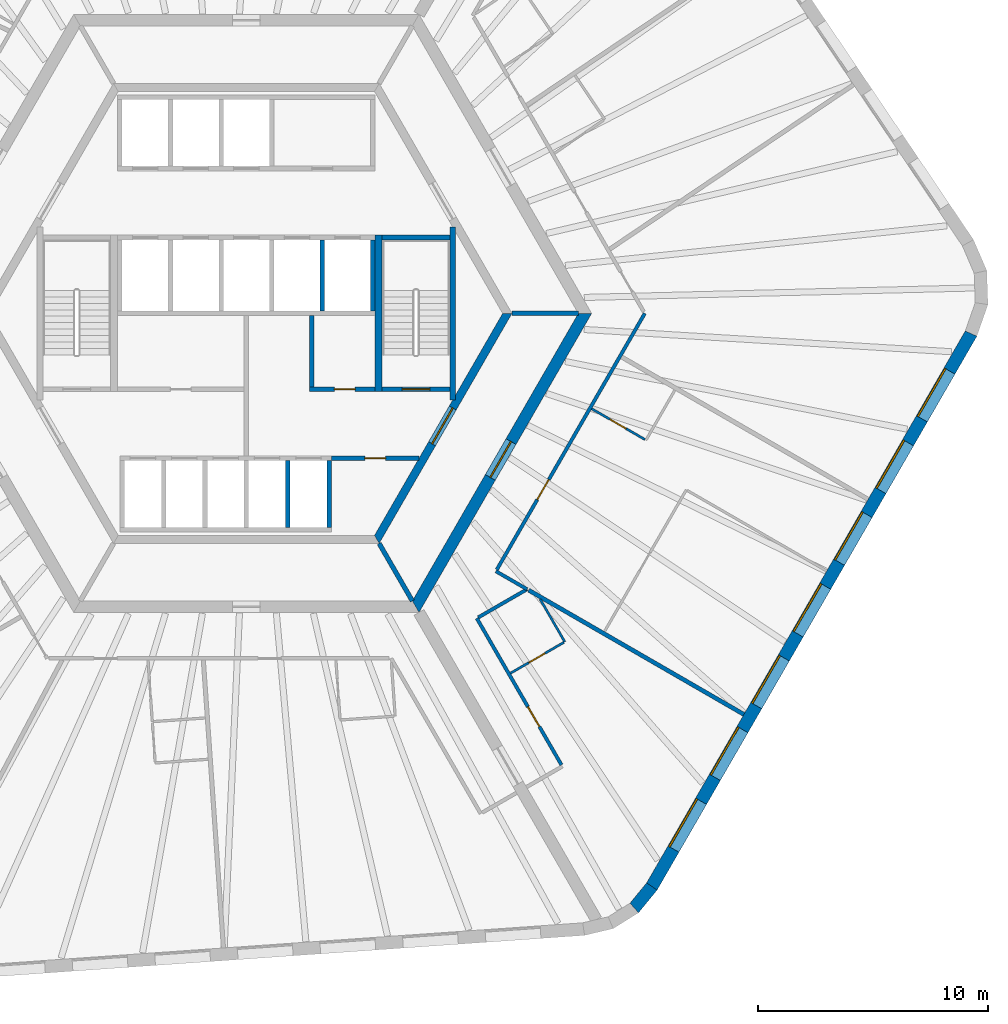
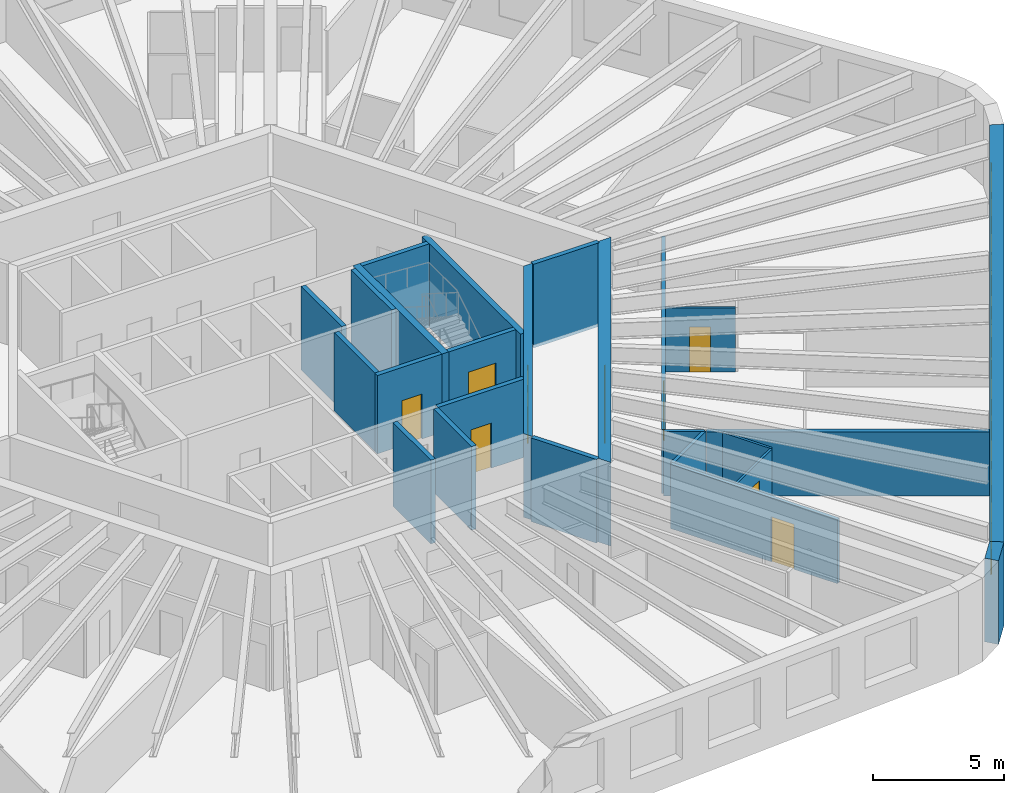
# One storey, part 5 of 10: 25 walls, 9 doors, 7 windows, 16 openings.
"""IFC4 building model written with IfcOpenShell, lengths in metres."""

from ifc_helpers import new_model, si_unit, direction, frame, frame_2d, origin, place, context, subcontext, project, spatial, polyline, rectangle, outline, extrude, material, layer, layer_set, type_object, element, fill, save


model = new_model("IFC4")

# Units and contexts
model_context = context("Model", 3, precision=1e-05, world=origin(), true_north=direction((0.0, 1.0)))
body_context = subcontext(model_context, "Body", "Model", "MODEL_VIEW")
ifc_project = project(units=[si_unit("LENGTHUNIT", "METRE"), si_unit("AREAUNIT", "SQUARE_METRE"), si_unit("VOLUMEUNIT", "CUBIC_METRE"), si_unit("PLANEANGLEUNIT", "RADIAN"), si_unit("MASSUNIT", "GRAM", prefix="KILO")], contexts=[model_context])

# Site, building, storey
site_placement = place(None, origin())
site = spatial("IfcSite", under=ifc_project, at=site_placement, CompositionType="ELEMENT")
building_placement = place(site_placement, origin())
building = spatial("IfcBuilding", under=site, at=building_placement, Name="Tarnside Tower", CompositionType="ELEMENT")
storey_placement = place(building_placement, frame((0.0, 0.0, 211.199951171875)))
storey = spatial("IfcBuildingStorey", under=building, at=storey_placement, Name="L50", CompositionType="ELEMENT", Elevation=211.199951171875)

# Wall
ifc_material_1 = material(Name="Gypsum board partition on steel studs", Category="steel")
ifc_layer_1 = layer(ifc_material_1, 0.10009765625)
ifc_layer_set_1 = layer_set([ifc_layer_1], Name="Bathroom wall 100")
wall_type_1 = type_object("IfcWallType", Name="Bathroom wall 100", PredefinedType="PARTITIONING", material=ifc_layer_set_1)
wall_1_placement = place(storey_placement, frame((12.7724609375, -12.4228515625, 0.0), z_axis=(0.0, 0.0, 1.0), x_axis=(0.500061136393, -0.865990103794, 0.0)))
element("IfcWall", 1, at=wall_1_placement, inside=storey, type_object=wall_type_1, Name="Bathroom wall 16095", PredefinedType="PARTITIONING", context=body_context, shape_type="SweptSolid", body=[
    extrude(rectangle(XDim=2.142333984375, YDim=0.10009765625, at=frame_2d((1.0712890625, 0.0))), origin(), (0.0, 0.0, 1.0), 2.98779296875),
])

# Wall, opening, door
wall_2_placement = place(storey_placement, frame((13.80029296875, -14.302978515625, 0.0), z_axis=(0.0, 0.0, 1.0), x_axis=(-0.866021425885, -0.500006889861, 0.0)))
wall_2 = element("IfcWall", 2, at=wall_2_placement, inside=storey, type_object=wall_type_1, Name="Bathroom wall 16096", PredefinedType="PARTITIONING", context=body_context, shape_type="SweptSolid", body=[
    extrude(rectangle(XDim=2.6748046875, YDim=0.10009765625, at=frame_2d((1.33740234375, 0.0))), origin(), (0.0, 0.0, 1.0), 2.98779296875),
])
opening_1_placement = place(wall_2_placement, frame((0.949951171875, 0.0, 0.0)))
opening_1 = element("IfcOpeningElement", 3, at=opening_1_placement, cuts=wall_2, Name="Opening D-B1", PredefinedType="OPENING", context=body_context, shape_type="SweptSolid", body=[
    extrude(rectangle(XDim=0.800048828125, YDim=2.10009765625, at=frame_2d((0.39990234375, 1.050048828125))), frame((0.0, 0.06005859375, 0.0), z_axis=(0.0, -1.0, 0.0), x_axis=(1.0, 0.0, 0.0)), (0.0, 0.0, 1.0), 0.1201171875),
])
ifc_material_2 = material(Name="Timber door leaf", Category="wood")
door_type_1 = type_object("IfcDoorType", Name="Bathroom door 800", OperationType="NOTDEFINED", PredefinedType="DOOR", material=ifc_material_2)
door_1_placement = place(opening_1_placement, origin())
door_1 = element("IfcDoor", 4, at=door_1_placement, inside=storey, type_object=door_type_1, Name="Bathroom door 16026", OperationType="SINGLE_SWING_RIGHT", OverallHeight=2.10009765625, OverallWidth=0.800048828125, PredefinedType="DOOR", context=body_context, shape_type="SweptSolid", body=[
    extrude(rectangle(XDim=0.800048828125, YDim=2.10009765625, at=frame_2d((0.39990234375, 1.050048828125))), frame((0.0, 0.02490234375, 0.0), z_axis=(0.0, -1.0, 0.0), x_axis=(1.0, 0.0, 0.0)), (0.0, 0.0, 1.0), 0.050048828125),
])
fill(opening_1, door_1)

wall_3_placement = place(storey_placement, frame((17.330810546875, -5.48193359375, 0.0), z_axis=(0.0, 0.0, 1.0), x_axis=(-0.86604424267, 0.499967368674, 0.0)))
wall_3 = element("IfcWall", 5, at=wall_3_placement, inside=storey, type_object=wall_type_1, Name="Bathroom wall 16101", PredefinedType="PARTITIONING", context=body_context, shape_type="SweptSolid", body=[
    extrude(rectangle(XDim=2.675048828125, YDim=0.10009765625, at=frame_2d((1.33740234375, 0.0))), origin(), (0.0, 0.0, 1.0), 2.98779296875),
])
opening_2_placement = place(wall_3_placement, frame((0.949951171875, 0.0, 0.0)))
opening_2 = element("IfcOpeningElement", 6, at=opening_2_placement, cuts=wall_3, Name="Opening D-B1", PredefinedType="OPENING", context=body_context, shape_type="SweptSolid", body=[
    extrude(rectangle(XDim=0.800048828125, YDim=2.10009765625, at=frame_2d((0.39990234375, 1.050048828125))), frame((0.0, 0.06005859375, 0.0), z_axis=(0.0, -1.0, 0.0), x_axis=(1.0, 0.0, 0.0)), (0.0, 0.0, 1.0), 0.1201171875),
])
door_2_placement = place(opening_2_placement, origin())
door_2 = element("IfcDoor", 7, at=door_2_placement, inside=storey, type_object=door_type_1, Name="Bathroom door 16028", OperationType="SINGLE_SWING_LEFT", OverallHeight=2.10009765625, OverallWidth=0.800048828125, PredefinedType="DOOR", context=body_context, shape_type="SweptSolid", body=[
    extrude(rectangle(XDim=0.800048828125, YDim=2.10009765625, at=frame_2d((0.39990234375, 1.050048828125))), frame((0.0, 0.02490234375, 0.0), z_axis=(0.0, -1.0, 0.0), x_axis=(1.0, 0.0, 0.0)), (0.0, 0.0, 1.0), 0.050048828125),
])
fill(opening_2, door_2)

ifc_material_3 = material(Name="Concrete C50/60", Category="concrete")
ifc_layer_2 = layer(ifc_material_3, 0.35009765625)
ifc_layer_set_2 = layer_set([ifc_layer_2], Name="Core block wall 350 C50/60")
wall_type_2 = type_object("IfcWallType", Name="Core block wall 350 C50/60", PredefinedType="SHEAR", material=ifc_layer_set_2)
wall_4_placement = place(storey_placement, frame((5.672607421875, -9.824951171875, -0.14990234375), z_axis=(0.0, 0.0, 1.0), x_axis=(0.499995046907, 0.866028263435, 0.0)))
wall_4 = element("IfcWall", 8, at=wall_4_placement, inside=storey, type_object=wall_type_2, Name="L50 core block wall face 5", PredefinedType="SHEAR", context=body_context, shape_type="SweptSolid", body=[
    extrude(outline(polyline([(-0.10107421875, -0.175048828125), (11.44580078125, -0.175048828125), (11.24365234375, 0.175048828125), (0.10107421875, 0.175048828125), (-0.10107421875, -0.175048828125)])), origin(), (0.0, 0.0, 1.0), 3.89990234375),
])
opening_3_placement = place(wall_4_placement, frame((4.80126953125, 0.0, 0.14990234375)))
opening_3 = element("IfcOpeningElement", 9, at=opening_3_placement, cuts=wall_4, Name="Opening CD-FFL", PredefinedType="OPENING", context=body_context, shape_type="SweptSolid", body=[
    extrude(rectangle(XDim=1.800048828125, YDim=2.39990234375, at=frame_2d((0.89990234375, 1.199951171875))), frame((0.0, 0.18505859375, 0.0), z_axis=(0.0, -1.0, 0.0), x_axis=(1.0, 0.0, 0.0)), (0.0, 0.0, 1.0), 0.3701171875),
])
ifc_material_4 = material(Name="Steel fire door", Category="steel")
door_type_2 = type_object("IfcDoorType", Name="Firefighting lobby double door FD60S 1800x2400", OperationType="NOTDEFINED", PredefinedType="DOOR", material=ifc_material_4)
door_3_placement = place(opening_3_placement, origin())
door_3 = element("IfcDoor", 10, at=door_3_placement, inside=storey, type_object=door_type_2, Name="L50 lobby block door P4", OperationType="DOUBLE_DOOR_SINGLE_SWING", OverallHeight=2.39990234375, OverallWidth=1.800048828125, PredefinedType="DOOR", context=body_context, shape_type="SweptSolid", body=[
    extrude(rectangle(XDim=1.800048828125, YDim=2.39990234375, at=frame_2d((0.89990234375, 1.199951171875))), frame((0.0, 0.02490234375, 0.0), z_axis=(0.0, -1.0, 0.0), x_axis=(1.0, 0.0, 0.0)), (0.0, 0.0, 1.0), 0.050048828125),
])
fill(opening_3, door_3)

ifc_material_5 = material(Name="Concrete C40/50", Category="concrete")
ifc_layer_3 = layer(ifc_material_5, 0.199951171875)
ifc_layer_set_3 = layer_set([ifc_layer_3], Name="Core room partition 200 C40/50")
wall_type_3 = type_object("IfcWallType", Name="Core room partition 200 C40/50", PredefinedType="PARTITIONING", material=ifc_layer_set_3)
wall_5_placement = place(storey_placement, frame((2.75, -3.300048828125, 0.0), z_axis=(0.0, 0.0, 1.0), x_axis=(1.0, 0.0, 0.0)))
wall_5 = element("IfcWall", 11, at=wall_5_placement, inside=storey, type_object=wall_type_3, Name="L50 core partition R3S1", PredefinedType="PARTITIONING", context=body_context, shape_type="SweptSolid", body=[
    extrude(rectangle(XDim=2.85009765625, YDim=0.199951171875, at=frame_2d((1.425048828125, 0.0))), origin(), (0.0, 0.0, 1.0), 3.650146484375),
])
opening_4_placement = place(wall_5_placement, frame((1.074951171875, 0.0, 0.0)))
opening_4 = element("IfcOpeningElement", 12, at=opening_4_placement, cuts=wall_5, Name="Opening CD-room", PredefinedType="OPENING", context=body_context, shape_type="SweptSolid", body=[
    extrude(rectangle(XDim=0.89990234375, YDim=2.10009765625, at=frame_2d((0.449951171875, 1.050048828125))), frame((0.0, 0.10986328125, 0.0), z_axis=(0.0, -1.0, 0.0), x_axis=(1.0, 0.0, 0.0)), (0.0, 0.0, 1.0), 0.219970703125),
])
door_type_3 = type_object("IfcDoorType", Name="Room door FD60 900x2100", OperationType="NOTDEFINED", PredefinedType="DOOR", material=ifc_material_4)
door_4_placement = place(opening_4_placement, origin())
door_4 = element("IfcDoor", 13, at=door_4_placement, inside=storey, type_object=door_type_3, Name="L50 core room door SR1", OperationType="SINGLE_SWING_LEFT", OverallHeight=2.10009765625, OverallWidth=0.89990234375, PredefinedType="DOOR", context=body_context, shape_type="SweptSolid", body=[
    extrude(rectangle(XDim=0.89990234375, YDim=2.10009765625, at=frame_2d((0.449951171875, 1.050048828125))), frame((0.0, 0.02490234375, 0.0), z_axis=(0.0, -1.0, 0.0), x_axis=(1.0, 0.0, 0.0)), (0.0, 0.0, 1.0), 0.050048828125),
])
fill(opening_4, door_4)

# Wall
wall_6_placement = place(storey_placement, frame((2.85009765625, -3.199951171875, 0.0), z_axis=(0.0, 0.0, 1.0), x_axis=(0.0, 1.0, 0.0)))
element("IfcWall", 14, at=wall_6_placement, inside=storey, type_object=wall_type_3, Name="L50 core partition R3P1a", PredefinedType="PARTITIONING", context=body_context, shape_type="SweptSolid", body=[
    extrude(rectangle(XDim=3.099853515625, YDim=0.199951171875, at=frame_2d((1.5498046875, 0.0))), origin(), (0.0, 0.0, 1.0), 3.650146484375),
])

# Wall, opening, door
wall_7_placement = place(storey_placement, frame((3.699951171875, -6.300048828125, 0.0), z_axis=(0.0, 0.0, 1.0), x_axis=(1.0, 0.0, 0.0)))
wall_7 = element("IfcWall", 15, at=wall_7_placement, inside=storey, type_object=wall_type_3, Name="L50 core partition R4X", PredefinedType="PARTITIONING", context=body_context, shape_type="SweptSolid", body=[
    extrude(rectangle(XDim=3.8056640625, YDim=0.199951171875, at=frame_2d((1.90283203125, 0.0))), origin(), (0.0, 0.0, 1.0), 3.650146484375),
])
opening_5_placement = place(wall_7_placement, frame((1.452880859375, 0.0, 0.0)))
opening_5 = element("IfcOpeningElement", 16, at=opening_5_placement, cuts=wall_7, Name="Opening CD-room", PredefinedType="OPENING", context=body_context, shape_type="SweptSolid", body=[
    extrude(rectangle(XDim=0.89990234375, YDim=2.10009765625, at=frame_2d((0.449951171875, 1.050048828125))), frame((0.0, 0.10986328125, 0.0), z_axis=(0.0, -1.0, 0.0), x_axis=(1.0, 0.0, 0.0)), (0.0, 0.0, 1.0), 0.219970703125),
])
door_5_placement = place(opening_5_placement, origin())
door_5 = element("IfcDoor", 17, at=door_5_placement, inside=storey, type_object=door_type_3, Name="L50 core room door RX", OperationType="SINGLE_SWING_LEFT", OverallHeight=2.10009765625, OverallWidth=0.89990234375, PredefinedType="DOOR", context=body_context, shape_type="SweptSolid", body=[
    extrude(rectangle(XDim=0.89990234375, YDim=2.10009765625, at=frame_2d((0.449951171875, 1.050048828125))), frame((0.0, 0.02490234375, 0.0), z_axis=(0.0, -1.0, 0.0), x_axis=(1.0, 0.0, 0.0)), (0.0, 0.0, 1.0), 0.050048828125),
])
fill(opening_5, door_5)

ifc_material_6 = material(Name="Concrete C70/85", Category="concrete")
ifc_layer_4 = layer(ifc_material_6, 0.5)
ifc_layer_set_4 = layer_set([ifc_layer_4], Name="Core wall Z2 500 C70/85")
wall_type_4 = type_object("IfcWallType", Name="Core wall Z2 500 C70/85", PredefinedType="SHEAR", material=ifc_layer_set_4)
wall_8_placement = place(storey_placement, frame((7.361083984375, -12.75, -0.14990234375), z_axis=(0.0, 0.0, 1.0), x_axis=(0.50000571537, 0.866022103989, 0.0)))
wall_8 = element("IfcWall", 18, at=wall_8_placement, inside=storey, type_object=wall_type_4, Name="L50 core wall face 5", PredefinedType="SHEAR", context=body_context, shape_type="SweptSolid", body=[
    extrude(outline(polyline([(-0.144287109375, -0.25), (14.86669921875, -0.25), (14.578125, 0.25), (0.144287109375, 0.25), (-0.144287109375, -0.25)])), origin(), (0.0, 0.0, 1.0), 3.89990234375),
])
opening_6_placement = place(wall_8_placement, frame((6.489990234375, 0.0, 0.14990234375)))
opening_6 = element("IfcOpeningElement", 19, at=opening_6_placement, cuts=wall_8, Name="Opening CD-FFL", PredefinedType="OPENING", context=body_context, shape_type="SweptSolid", body=[
    extrude(rectangle(XDim=1.800048828125, YDim=2.39990234375, at=frame_2d((0.89990234375, 1.199951171875))), frame((0.0, 0.260009765625, 0.0), z_axis=(0.0, -1.0, 0.0), x_axis=(1.0, 0.0, 0.0)), (0.0, 0.0, 1.0), 0.52001953125),
])
door_6_placement = place(opening_6_placement, origin())
door_6 = element("IfcDoor", 20, at=door_6_placement, inside=storey, type_object=door_type_2, Name="L50 core door P4", OperationType="DOUBLE_DOOR_SINGLE_SWING", OverallHeight=2.39990234375, OverallWidth=1.800048828125, PredefinedType="DOOR", context=body_context, shape_type="SweptSolid", body=[
    extrude(rectangle(XDim=1.800048828125, YDim=2.39990234375, at=frame_2d((0.89990234375, 1.199951171875))), frame((0.0, 0.02490234375, 0.0), z_axis=(0.0, -1.0, 0.0), x_axis=(1.0, 0.0, 0.0)), (0.0, 0.0, 1.0), 0.050048828125),
])
fill(opening_6, door_6)

ifc_layer_5 = layer(ifc_material_1, 0.14990234375)
ifc_layer_set_5 = layer_set([ifc_layer_5], Name="Corridor wall 150 EI 60")
wall_type_5 = type_object("IfcWallType", Name="Corridor wall 150 EI 60", PredefinedType="PARTITIONING", material=ifc_layer_set_5)
wall_9_placement = place(storey_placement, frame((13.69921875, -19.6279296875, 0.0), z_axis=(0.0, 0.0, 1.0), x_axis=(-0.499995202058, 0.86602817386, 0.0)))
wall_9 = element("IfcWall", 21, at=wall_9_placement, inside=storey, type_object=wall_type_5, Name="Corridor wall 16036", PredefinedType="PARTITIONING", context=body_context, shape_type="SweptSolid", body=[
    extrude(rectangle(XDim=7.36083984375, YDim=0.14990234375, at=frame_2d((3.680419921875, 0.0))), origin(), (0.0, 0.0, 1.0), 2.98779296875),
])
opening_7_placement = place(wall_9_placement, frame((1.91796875, 0.0, 0.0)))
opening_7 = element("IfcOpeningElement", 22, at=opening_7_placement, cuts=wall_9, Name="Opening D-E1", PredefinedType="OPENING", context=body_context, shape_type="SweptSolid", body=[
    extrude(rectangle(XDim=1.0, YDim=2.10009765625, at=frame_2d((0.5, 1.050048828125))), frame((0.0, 0.0849609375, 0.0), z_axis=(0.0, -1.0, 0.0), x_axis=(1.0, 0.0, 0.0)), (0.0, 0.0, 1.0), 0.169921875),
])
door_type_4 = type_object("IfcDoorType", Name="Unit entrance door 1000 FD30S", OperationType="NOTDEFINED", PredefinedType="DOOR", material=ifc_material_2)
door_7_placement = place(opening_7_placement, origin())
door_7 = element("IfcDoor", 23, at=door_7_placement, inside=storey, type_object=door_type_4, Name="Unit door 16025", OperationType="SINGLE_SWING_LEFT", OverallHeight=2.10009765625, OverallWidth=1.0, PredefinedType="DOOR", context=body_context, shape_type="SweptSolid", body=[
    extrude(rectangle(XDim=1.0, YDim=2.10009765625, at=frame_2d((0.5, 1.050048828125))), frame((0.0, 0.02490234375, 0.0), z_axis=(0.0, -1.0, 0.0), x_axis=(1.0, 0.0, 0.0)), (0.0, 0.0, 1.0), 0.050048828125),
])
fill(opening_7, door_7)

# Walls
wall_10_placement = place(storey_placement, frame((10.083740234375, -13.215576171875, 0.0), z_axis=(0.0, 0.0, 1.0), x_axis=(0.866026229868, 0.499998569178, 0.0)))
element("IfcWall", 24, at=wall_10_placement, inside=storey, type_object=wall_type_5, Name="Corridor wall 16038", PredefinedType="PARTITIONING", context=body_context, shape_type="SweptSolid", body=[
    extrude(rectangle(XDim=2.44921875, YDim=0.14990234375, at=frame_2d((1.224609375, 0.0))), origin(), (0.0, 0.0, 1.0), 2.98779296875),
])
wall_11_placement = place(storey_placement, frame((12.20751953125, -11.99267578125, 0.0), z_axis=(0.0, 0.0, 1.0), x_axis=(-0.866011891242, 0.50002340368, 0.0)))
element("IfcWall", 25, at=wall_11_placement, inside=storey, type_object=wall_type_5, Name="Corridor wall 16039", PredefinedType="PARTITIONING", context=body_context, shape_type="SweptSolid", body=[
    extrude(rectangle(XDim=1.568359375, YDim=0.14990234375, at=frame_2d((0.7841796875, 0.0))), origin(), (0.0, 0.0, 1.0), 2.98779296875),
])

# Wall, opening, door
wall_12_placement = place(storey_placement, frame((10.88671875, -11.1435546875, 0.0), z_axis=(0.0, 0.0, 1.0), x_axis=(0.500006037985, 0.866021917724, 0.0)))
wall_12 = element("IfcWall", 26, at=wall_12_placement, inside=storey, type_object=wall_type_5, Name="Corridor wall 16040", PredefinedType="PARTITIONING", context=body_context, shape_type="SweptSolid", body=[
    extrude(rectangle(XDim=12.867431640625, YDim=0.14990234375, at=frame_2d((6.43359375, 0.0))), origin(), (0.0, 0.0, 1.0), 2.98779296875),
])
opening_8_placement = place(wall_12_placement, frame((3.52490234375, 0.0, 0.0)))
opening_8 = element("IfcOpeningElement", 27, at=opening_8_placement, cuts=wall_12, Name="Opening D-E1", PredefinedType="OPENING", context=body_context, shape_type="SweptSolid", body=[
    extrude(rectangle(XDim=1.0, YDim=2.10009765625, at=frame_2d((0.5, 1.050048828125))), frame((0.0, 0.0849609375, 0.0), z_axis=(0.0, -1.0, 0.0), x_axis=(1.0, 0.0, 0.0)), (0.0, 0.0, 1.0), 0.169921875),
])
door_8_placement = place(opening_8_placement, origin())
door_8 = element("IfcDoor", 28, at=door_8_placement, inside=storey, type_object=door_type_4, Name="Unit door 16027", OperationType="SINGLE_SWING_RIGHT", OverallHeight=2.10009765625, OverallWidth=1.0, PredefinedType="DOOR", context=body_context, shape_type="SweptSolid", body=[
    extrude(rectangle(XDim=1.0, YDim=2.10009765625, at=frame_2d((0.5, 1.050048828125))), frame((0.0, 0.02490234375, 0.0), z_axis=(0.0, -1.0, 0.0), x_axis=(1.0, 0.0, 0.0)), (0.0, 0.0, 1.0), 0.050048828125),
])
fill(opening_8, door_8)

# Walls
ifc_layer_6 = layer(ifc_material_1, 0.179931640625)
ifc_layer_set_6 = layer_set([ifc_layer_6], Name="Demising wall 180 EI 60")
wall_type_6 = type_object("IfcWallType", Name="Demising wall 180 EI 60", PredefinedType="PARTITIONING", material=ifc_layer_set_6)
wall_13_placement = place(storey_placement, frame((21.63134765625, -17.433349609375, 0.0), z_axis=(0.0, 0.0, 1.0), x_axis=(-0.866029744906, 0.499992480882, 0.0)))
element("IfcWall", 29, at=wall_13_placement, inside=storey, type_object=wall_type_6, Name="Demising wall 16097", PredefinedType="PARTITIONING", context=body_context, shape_type="SweptSolid", body=[
    extrude(rectangle(XDim=10.800537109375, YDim=0.179931640625, at=frame_2d((5.400390625, 0.0))), origin(), (0.0, 0.0, 1.0), 2.98779296875),
])
ifc_layer_7 = layer(ifc_material_5, 0.199951171875)
ifc_layer_set_7 = layer_set([ifc_layer_7], Name="Lift shaft wall 200 C40/50")
wall_type_7 = type_object("IfcWallType", Name="Lift shaft wall 200 C40/50", PredefinedType="SHEAR", material=ifc_layer_set_7)
for number, where, z_axis, x_axis, name in (
    (30, (3.300048828125, 0.10009765625, -0.25), (0.0, 0.0, 1.0), (0.0, 1.0, 0.0), "L50 lift shaft partition R25"),
    (31, (5.5, 0.10009765625, -0.25), (0.0, 0.0, 1.0), (0.0, 1.0, 0.0), "L50 lift shaft partition R26"),
):
    element("IfcWall", number, at=place(storey_placement, frame(where, z_axis=z_axis, x_axis=x_axis)), inside=storey, type_object=wall_type_7, Name=name, PredefinedType="SHEAR", context=body_context, shape_type="SweptSolid", body=[
        extrude(rectangle(XDim=3.099853515625, YDim=0.199951171875, at=frame_2d((1.5498046875, 0.0))), origin(), (0.0, 0.0, 1.0), 3.900146484375),
    ])
for number, where, z_axis, x_axis, name in (
    (32, (1.800048828125, -9.300048828125, -0.25), (0.0, 0.0, 1.0), (0.0, 1.0, 0.0), "L50 lift shaft partition R45"),
    (33, (3.60009765625, -9.300048828125, -0.25), (0.0, 0.0, 1.0), (0.0, 1.0, 0.0), "L50 lift shaft partition R46"),
):
    element("IfcWall", number, at=place(storey_placement, frame(where, z_axis=z_axis, x_axis=x_axis)), inside=storey, type_object=wall_type_7, Name=name, PredefinedType="SHEAR", context=body_context, shape_type="SweptSolid", body=[
        extrude(rectangle(XDim=2.900146484375, YDim=0.199951171875, at=frame_2d((1.4501953125, 0.0))), origin(), (0.0, 0.0, 1.0), 3.900146484375),
    ])
for number, where, z_axis, x_axis, name in (
    (34, (11.547119140625, 0.0, -0.14990234375), (0.0, 0.0, 1.0), (1.0, 0.0, 0.0), "L50 core partition AR0"),
    (35, (5.7734375, -10.0, -0.14990234375), (0.0, 0.0, 1.0), (0.499995765644, -0.866027848477, 0.0), "L50 core partition AR300"),
):
    element("IfcWall", number, at=place(storey_placement, frame(where, z_axis=z_axis, x_axis=x_axis)), inside=storey, type_object=wall_type_7, Name=name, PredefinedType="SHEAR", context=body_context, shape_type="SweptSolid", body=[
        extrude(rectangle(XDim=2.88671875, YDim=0.199951171875, at=frame_2d((1.443359375, 0.0))), origin(), (0.0, 0.0, 1.0), 3.89990234375),
    ])
wall_14_placement = place(storey_placement, frame((5.89990234375, 3.300048828125, -0.25), z_axis=(0.0, 0.0, 1.0), x_axis=(1.0, 0.0, 0.0)))
element("IfcWall", 36, at=wall_14_placement, inside=storey, type_object=wall_type_7, Name="L50 stair 1 enclosure cap wall n", PredefinedType="SHEAR", context=body_context, shape_type="SweptSolid", body=[
    extrude(rectangle(XDim=2.9501953125, YDim=0.199951171875, at=frame_2d((1.47509765625, 0.0))), origin(), (0.0, 0.0, 1.0), 3.900146484375),
])

# Wall, opening, door
wall_15_placement = place(storey_placement, frame((5.89990234375, -3.300048828125, -0.25), z_axis=(0.0, 0.0, 1.0), x_axis=(1.0, 0.0, 0.0)))
wall_15 = element("IfcWall", 37, at=wall_15_placement, inside=storey, type_object=wall_type_7, Name="L50 stair 1 enclosure cap wall s", PredefinedType="SHEAR", context=body_context, shape_type="SweptSolid", body=[
    extrude(rectangle(XDim=2.9501953125, YDim=0.199951171875, at=frame_2d((1.47509765625, 0.0))), origin(), (0.0, 0.0, 1.0), 3.900146484375),
])
opening_9_placement = place(wall_15_placement, frame((0.875, 0.0, 0.25)))
opening_9 = element("IfcOpeningElement", 38, at=opening_9_placement, cuts=wall_15, Name="Opening CD-STR", PredefinedType="OPENING", context=body_context, shape_type="SweptSolid", body=[
    extrude(rectangle(XDim=1.199951171875, YDim=2.39990234375, at=frame_2d((0.60009765625, 1.199951171875))), frame((0.0, 0.10986328125, 0.0), z_axis=(0.0, -1.0, 0.0), x_axis=(1.0, 0.0, 0.0)), (0.0, 0.0, 1.0), 0.219970703125),
])
door_type_5 = type_object("IfcDoorType", Name="Stair door FD60S 1200x2400", OperationType="NOTDEFINED", PredefinedType="DOOR", material=ifc_material_4)
door_9_placement = place(opening_9_placement, origin())
door_9 = element("IfcDoor", 39, at=door_9_placement, inside=storey, type_object=door_type_5, Name="L50 stair 1 door", OperationType="SINGLE_SWING_LEFT", OverallHeight=2.39990234375, OverallWidth=1.199951171875, PredefinedType="DOOR", context=body_context, shape_type="SweptSolid", body=[
    extrude(rectangle(XDim=1.199951171875, YDim=2.39990234375, at=frame_2d((0.60009765625, 1.199951171875))), frame((0.0, 0.02490234375, 0.0), z_axis=(0.0, -1.0, 0.0), x_axis=(1.0, 0.0, 0.0)), (0.0, 0.0, 1.0), 0.050048828125),
])
fill(opening_9, door_9)

# Walls
ifc_layer_8 = layer(ifc_material_5, 0.25)
ifc_layer_set_8 = layer_set([ifc_layer_8], Name="Stair enclosure wall 250 C40/50")
wall_type_8 = type_object("IfcWallType", Name="Stair enclosure wall 250 C40/50", PredefinedType="SHEAR", material=ifc_layer_set_8)
wall_16_placement = place(storey_placement, frame((8.97509765625, -3.7548828125, -0.25), z_axis=(0.0, 0.0, 1.0), x_axis=(0.0, 1.0, 0.0)))
element("IfcWall", 40, at=wall_16_placement, inside=storey, type_object=wall_type_8, Name="L50 stair 1 enclosure wall outer", PredefinedType="SHEAR", context=body_context, shape_type="SweptSolid", body=[
    extrude(rectangle(XDim=7.509765625, YDim=0.25, at=frame_2d((3.7548828125, 0.0))), origin(), (0.0, 0.0, 1.0), 3.900146484375),
])
ifc_layer_9 = layer(ifc_material_5, 0.300048828125)
ifc_layer_set_9 = layer_set([ifc_layer_9], Name="Stair enclosure wall 300 C40/50")
wall_type_9 = type_object("IfcWallType", Name="Stair enclosure wall 300 C40/50", PredefinedType="SHEAR", material=ifc_layer_set_9)
wall_17_placement = place(storey_placement, frame((5.75, -3.39990234375, -0.25), z_axis=(0.0, 0.0, 1.0), x_axis=(0.0, 1.0, 0.0)))
element("IfcWall", 41, at=wall_17_placement, inside=storey, type_object=wall_type_9, Name="L50 stair 1 enclosure wall inner", PredefinedType="SHEAR", context=body_context, shape_type="SweptSolid", body=[
    extrude(rectangle(XDim=6.7998046875, YDim=0.300048828125, at=frame_2d((3.39990234375, 0.0))), origin(), (0.0, 0.0, 1.0), 3.900146484375),
])
ifc_material_7 = material(Name="Facing brick", Category="masonry")
ifc_layer_10 = layer(ifc_material_7, 0.10205078125)
ifc_material_8 = material(Name="Concrete C60/75 precast", Category="concrete")
ifc_layer_11 = layer(ifc_material_8, 0.347900390625)
ifc_material_9 = material(Name="Mineral wool insulation")
ifc_layer_12 = layer(ifc_material_9, 0.10009765625)
ifc_layer_set_10 = layer_set([ifc_layer_10, ifc_layer_11, ifc_layer_12], Name="Tube wall 550 brick faced")
wall_type_10 = type_object("IfcWallType", Name="Tube wall 550 brick faced", PredefinedType="SOLIDWALL", material=ifc_layer_set_10)
wall_18_placement = place(storey_placement, frame((16.8642578125, -25.848388671875, -0.14990234375), z_axis=(0.0, 0.0, 1.0), x_axis=(0.633842757806, 0.773461930787, 0.0)))
element("IfcWall", 42, at=wall_18_placement, inside=storey, type_object=wall_type_10, Name="Tube wall L50 F4 chord 15", PredefinedType="SOLIDWALL", context=body_context, shape_type="SweptSolid", body=[
    extrude(outline(polyline([(-0.045166015625, -0.27490234375), (1.230712890625, -0.27490234375), (1.185791015625, 0.27490234375), (0.045166015625, 0.27490234375), (-0.045166015625, -0.27490234375)])), origin(), (0.0, 0.0, 1.0), 3.89990234375),
])

# Wall, openings, windows
wall_19_placement = place(storey_placement, frame((17.630126953125, -24.913818359375, -0.14990234375), z_axis=(0.0, 0.0, 1.0), x_axis=(0.499998569178, 0.866026229868, 0.0)))
wall_19 = element("IfcWall", 43, at=wall_19_placement, inside=storey, type_object=wall_type_10, Name="Tube wall L50 F5 flush 16", PredefinedType="SOLIDWALL", context=body_context, shape_type="SweptSolid", body=[
    extrude(outline(polyline([(-0.0224609375, -0.27490234375), (27.783447265625, -0.27490234375), (27.732177734375, 0.27490234375), (0.0224609375, 0.27490234375), (-0.0224609375, -0.27490234375)])), origin(), (0.0, 0.0, 1.0), 3.89990234375),
])
opening_10_placement = place(wall_19_placement, frame((1.87890625, 0.0, 1.050048828125)))
opening_10 = element("IfcOpeningElement", 44, at=opening_10_placement, cuts=wall_19, Name="Opening WH", PredefinedType="OPENING", context=body_context, shape_type="SweptSolid", body=[
    extrude(rectangle(XDim=2.39990234375, YDim=2.39990234375, at=frame_2d((1.199951171875, 1.199951171875))), frame((0.0, 0.28515625, 0.0), z_axis=(0.0, -1.0, 0.0), x_axis=(1.0, 0.0, 0.0)), (0.0, 0.0, 1.0), 0.570068359375),
])
opening_11_placement = place(wall_19_placement, frame((5.47900390625, 0.0, 1.050048828125)))
opening_11 = element("IfcOpeningElement", 45, at=opening_11_placement, cuts=wall_19, Name="Opening WH", PredefinedType="OPENING", context=body_context, shape_type="SweptSolid", body=[
    extrude(rectangle(XDim=2.39990234375, YDim=2.39990234375, at=frame_2d((1.199951171875, 1.199951171875))), frame((0.0, 0.28515625, 0.0), z_axis=(0.0, -1.0, 0.0), x_axis=(1.0, 0.0, 0.0)), (0.0, 0.0, 1.0), 0.570068359375),
])
opening_12_placement = place(wall_19_placement, frame((9.078857421875, 0.0, 1.050048828125)))
opening_12 = element("IfcOpeningElement", 46, at=opening_12_placement, cuts=wall_19, Name="Opening WH", PredefinedType="OPENING", context=body_context, shape_type="SweptSolid", body=[
    extrude(rectangle(XDim=2.39990234375, YDim=2.39990234375, at=frame_2d((1.199951171875, 1.199951171875))), frame((0.0, 0.28515625, 0.0), z_axis=(0.0, -1.0, 0.0), x_axis=(1.0, 0.0, 0.0)), (0.0, 0.0, 1.0), 0.570068359375),
])
opening_13_placement = place(wall_19_placement, frame((12.678955078125, 0.0, 1.050048828125)))
opening_13 = element("IfcOpeningElement", 47, at=opening_13_placement, cuts=wall_19, Name="Opening WH", PredefinedType="OPENING", context=body_context, shape_type="SweptSolid", body=[
    extrude(rectangle(XDim=2.39990234375, YDim=2.39990234375, at=frame_2d((1.199951171875, 1.199951171875))), frame((0.0, 0.28515625, 0.0), z_axis=(0.0, -1.0, 0.0), x_axis=(1.0, 0.0, 0.0)), (0.0, 0.0, 1.0), 0.570068359375),
])
opening_14_placement = place(wall_19_placement, frame((16.27880859375, 0.0, 1.050048828125)))
opening_14 = element("IfcOpeningElement", 48, at=opening_14_placement, cuts=wall_19, Name="Opening WH", PredefinedType="OPENING", context=body_context, shape_type="SweptSolid", body=[
    extrude(rectangle(XDim=2.39990234375, YDim=2.39990234375, at=frame_2d((1.199951171875, 1.199951171875))), frame((0.0, 0.28515625, 0.0), z_axis=(0.0, -1.0, 0.0), x_axis=(1.0, 0.0, 0.0)), (0.0, 0.0, 1.0), 0.570068359375),
])
opening_15_placement = place(wall_19_placement, frame((19.87890625, 0.0, 1.050048828125)))
opening_15 = element("IfcOpeningElement", 49, at=opening_15_placement, cuts=wall_19, Name="Opening WH", PredefinedType="OPENING", context=body_context, shape_type="SweptSolid", body=[
    extrude(rectangle(XDim=2.39990234375, YDim=2.39990234375, at=frame_2d((1.199951171875, 1.199951171875))), frame((0.0, 0.28515625, 0.0), z_axis=(0.0, -1.0, 0.0), x_axis=(1.0, 0.0, 0.0)), (0.0, 0.0, 1.0), 0.570068359375),
])
opening_16_placement = place(wall_19_placement, frame((23.47900390625, 0.0, 1.050048828125)))
opening_16 = element("IfcOpeningElement", 50, at=opening_16_placement, cuts=wall_19, Name="Opening WH", PredefinedType="OPENING", context=body_context, shape_type="SweptSolid", body=[
    extrude(rectangle(XDim=2.39990234375, YDim=2.39990234375, at=frame_2d((1.199951171875, 1.199951171875))), frame((0.0, 0.28515625, 0.0), z_axis=(0.0, -1.0, 0.0), x_axis=(1.0, 0.0, 0.0)), (0.0, 0.0, 1.0), 0.570068359375),
])
ifc_material_10 = material(Name="Aluminium-framed double glazing", Category="aluminium")
window_type = type_object("IfcWindowType", Name="Hotel window 2400 x 2400", PartitioningType="DOUBLE_PANEL_VERTICAL", PredefinedType="WINDOW", material=ifc_material_10)
window_1_placement = place(opening_10_placement, frame((0.0, 0.205078125, 0.0)))
window_1 = element("IfcWindow", 51, at=window_1_placement, inside=storey, type_object=window_type, Name="E.WN.L50.F5.00", OverallHeight=2.39990234375, OverallWidth=2.39990234375, PartitioningType="DOUBLE_PANEL_VERTICAL", PredefinedType="WINDOW", context=body_context, shape_type="SweptSolid", body=[
    extrude(rectangle(XDim=2.39990234375, YDim=2.39990234375, at=frame_2d((1.199951171875, 1.199951171875))), frame((0.0, 0.030029296875, 0.0), z_axis=(0.0, -1.0, 0.0), x_axis=(1.0, 0.0, 0.0)), (0.0, 0.0, 1.0), 0.06005859375),
])
fill(opening_10, window_1)
window_2_placement = place(opening_11_placement, frame((0.0, 0.205078125, 0.0)))
window_2 = element("IfcWindow", 52, at=window_2_placement, inside=storey, type_object=window_type, Name="E.WN.L50.F5.01", OverallHeight=2.39990234375, OverallWidth=2.39990234375, PartitioningType="DOUBLE_PANEL_VERTICAL", PredefinedType="WINDOW", context=body_context, shape_type="SweptSolid", body=[
    extrude(rectangle(XDim=2.39990234375, YDim=2.39990234375, at=frame_2d((1.199951171875, 1.199951171875))), frame((0.0, 0.030029296875, 0.0), z_axis=(0.0, -1.0, 0.0), x_axis=(1.0, 0.0, 0.0)), (0.0, 0.0, 1.0), 0.06005859375),
])
fill(opening_11, window_2)
window_3_placement = place(opening_12_placement, frame((0.0, 0.205078125, 0.0)))
window_3 = element("IfcWindow", 53, at=window_3_placement, inside=storey, type_object=window_type, Name="E.WN.L50.F5.02", OverallHeight=2.39990234375, OverallWidth=2.39990234375, PartitioningType="DOUBLE_PANEL_VERTICAL", PredefinedType="WINDOW", context=body_context, shape_type="SweptSolid", body=[
    extrude(rectangle(XDim=2.39990234375, YDim=2.39990234375, at=frame_2d((1.199951171875, 1.199951171875))), frame((0.0, 0.030029296875, 0.0), z_axis=(0.0, -1.0, 0.0), x_axis=(1.0, 0.0, 0.0)), (0.0, 0.0, 1.0), 0.06005859375),
])
fill(opening_12, window_3)
window_4_placement = place(opening_13_placement, frame((0.0, 0.205078125, 0.0)))
window_4 = element("IfcWindow", 54, at=window_4_placement, inside=storey, type_object=window_type, Name="E.WN.L50.F5.03", OverallHeight=2.39990234375, OverallWidth=2.39990234375, PartitioningType="DOUBLE_PANEL_VERTICAL", PredefinedType="WINDOW", context=body_context, shape_type="SweptSolid", body=[
    extrude(rectangle(XDim=2.39990234375, YDim=2.39990234375, at=frame_2d((1.199951171875, 1.199951171875))), frame((0.0, 0.030029296875, 0.0), z_axis=(0.0, -1.0, 0.0), x_axis=(1.0, 0.0, 0.0)), (0.0, 0.0, 1.0), 0.06005859375),
])
fill(opening_13, window_4)
window_5_placement = place(opening_14_placement, frame((0.0, 0.205078125, 0.0)))
window_5 = element("IfcWindow", 55, at=window_5_placement, inside=storey, type_object=window_type, Name="E.WN.L50.F5.04", OverallHeight=2.39990234375, OverallWidth=2.39990234375, PartitioningType="DOUBLE_PANEL_VERTICAL", PredefinedType="WINDOW", context=body_context, shape_type="SweptSolid", body=[
    extrude(rectangle(XDim=2.39990234375, YDim=2.39990234375, at=frame_2d((1.199951171875, 1.199951171875))), frame((0.0, 0.030029296875, 0.0), z_axis=(0.0, -1.0, 0.0), x_axis=(1.0, 0.0, 0.0)), (0.0, 0.0, 1.0), 0.06005859375),
])
fill(opening_14, window_5)
window_6_placement = place(opening_15_placement, frame((0.0, 0.205078125, 0.0)))
window_6 = element("IfcWindow", 56, at=window_6_placement, inside=storey, type_object=window_type, Name="E.WN.L50.F5.05", OverallHeight=2.39990234375, OverallWidth=2.39990234375, PartitioningType="DOUBLE_PANEL_VERTICAL", PredefinedType="WINDOW", context=body_context, shape_type="SweptSolid", body=[
    extrude(rectangle(XDim=2.39990234375, YDim=2.39990234375, at=frame_2d((1.199951171875, 1.199951171875))), frame((0.0, 0.030029296875, 0.0), z_axis=(0.0, -1.0, 0.0), x_axis=(1.0, 0.0, 0.0)), (0.0, 0.0, 1.0), 0.06005859375),
])
fill(opening_15, window_6)
window_7_placement = place(opening_16_placement, frame((0.0, 0.205078125, 0.0)))
window_7 = element("IfcWindow", 57, at=window_7_placement, inside=storey, type_object=window_type, Name="E.WN.L50.F5.06", OverallHeight=2.39990234375, OverallWidth=2.39990234375, PartitioningType="DOUBLE_PANEL_VERTICAL", PredefinedType="WINDOW", context=body_context, shape_type="SweptSolid", body=[
    extrude(rectangle(XDim=2.39990234375, YDim=2.39990234375, at=frame_2d((1.199951171875, 1.199951171875))), frame((0.0, 0.030029296875, 0.0), z_axis=(0.0, -1.0, 0.0), x_axis=(1.0, 0.0, 0.0)), (0.0, 0.0, 1.0), 0.06005859375),
])
fill(opening_16, window_7)

save(model, "model.ifc")
